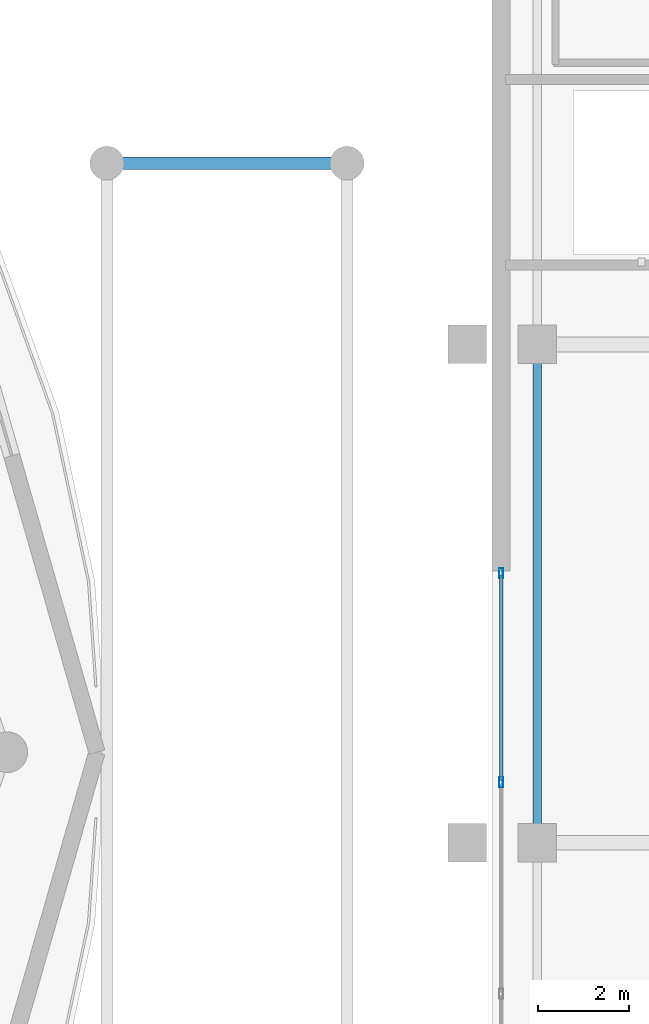
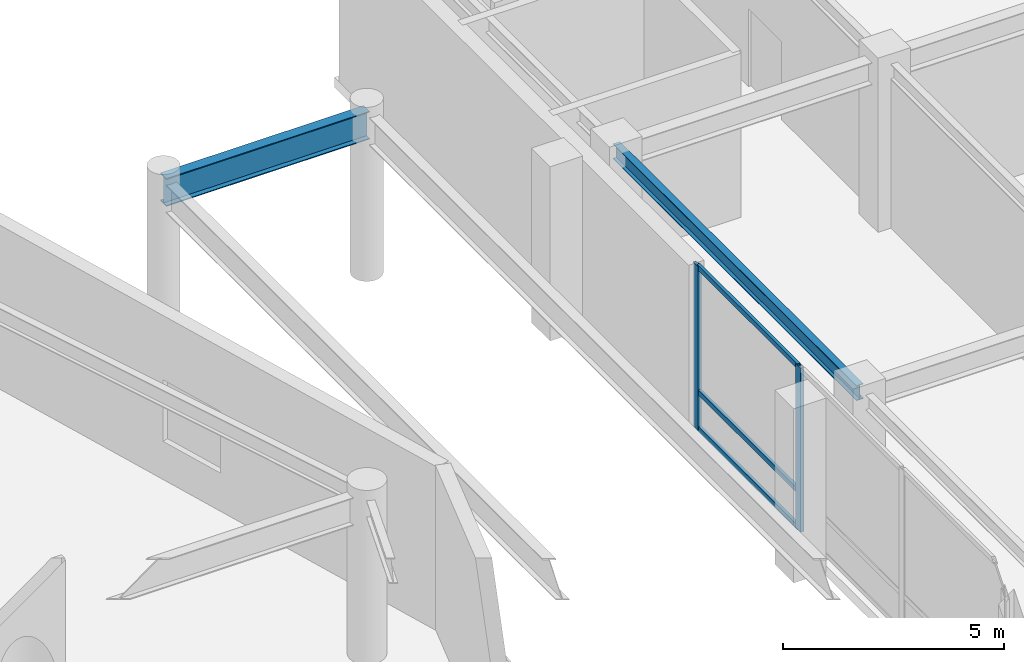
# One storey, part 18 of 40: 5 members, 2 beams, 1 element without a shape of its own.
"""IFC4 building model written with IfcOpenShell, lengths in metres."""

import ifcopenshell
import ifcopenshell.guid

model = None  # the IFC model being written
_history = None  # IfcOwnerHistory: only IFC2X3 demands one
_inside = {}  # id of a spatial element -> (the spatial element, [elements in it])
_under = {}  # id of a project, library or spatial element -> (it, [spatial elements below it])
_declared = {}  # id of a project -> (the project, [libraries it declares])
_typed = {}  # id of a type object -> (the type object, [elements of that type])
_made_of = {}  # id of a material, layer set ... -> (it, [elements and type objects made of it])


def new_model(schema):
    """Start an empty IFC model of exactly this schema.

    Asked for "IFC4X3", IfcOpenShell would pick the latest addendum, in which some entities
    have other attributes; the version numbers below select the first issue.
    IFC2X3 requires an IfcOwnerHistory on every rooted entity: one is made here for all.
    """
    global model, _history
    if schema == "IFC4X3":
        model = ifcopenshell.file(schema_version=(4, 3, 0, 0))
    else:
        model = ifcopenshell.file(schema=schema)
    _inside.clear()
    _under.clear()
    _declared.clear()
    _typed.clear()
    _made_of.clear()
    _history = None
    if model.schema == "IFC2X3":
        org = make("IfcOrganization", Name="unknown")
        user = make(
            "IfcPersonAndOrganization",
            ThePerson=make("IfcPerson", FamilyName="unknown"),
            TheOrganization=org,
        )
        app = make(
            "IfcApplication",
            ApplicationDeveloper=org,
            Version="unknown",
            ApplicationFullName="unknown",
            ApplicationIdentifier="unknown",
        )
        _history = make(
            "IfcOwnerHistory",
            OwningUser=user,
            OwningApplication=app,
            ChangeAction="ADDED",
            CreationDate=0,
        )
    return model


def make(cls, **values):
    """One entity of the class cls with the attributes given. An attribute that is None is left unset."""
    return model.create_entity(
        cls, **{name: value for name, value in values.items() if value is not None}
    )


def rooted(cls, **values):
    """An entity with a GlobalId (a new one), such as an element, a storey or a relation."""
    return make(cls, GlobalId=ifcopenshell.guid.new(), OwnerHistory=_history, **values)


def si_unit(unit_type, name, prefix=None):
    """IfcSIUnit, for example si_unit("LENGTHUNIT", "METRE", prefix="MILLI")."""
    return make("IfcSIUnit", UnitType=unit_type, Prefix=prefix, Name=name)


def assignment(units):
    """IfcUnitAssignment: the units of a project."""
    return None if units is None else make("IfcUnitAssignment", Units=units)


def point(xyz):
    """IfcCartesianPoint."""
    return None if xyz is None else make("IfcCartesianPoint", Coordinates=xyz)


def direction(xyz):
    """IfcDirection."""
    return None if xyz is None else make("IfcDirection", DirectionRatios=xyz)


def frame(location, z_axis=None, x_axis=None):
    """IfcAxis2Placement3D, a coordinate frame: its origin and axes. An axis left out is left unset."""
    return make(
        "IfcAxis2Placement3D",
        Location=point(location),
        Axis=direction(z_axis),
        RefDirection=direction(x_axis),
    )


def frame_2d(location, x_axis=None):
    """IfcAxis2Placement2D, a coordinate frame in the plane: its origin and x axis."""
    return make(
        "IfcAxis2Placement2D", Location=point(location), RefDirection=direction(x_axis)
    )


def origin():
    """The frame at (0, 0, 0) with its axes left unset."""
    return frame((0.0, 0.0, 0.0))


def origin_2d():
    """The frame at (0, 0) in the plane with its x axis left unset."""
    return frame_2d((0.0, 0.0))


def place(relative_to, where):
    """IfcLocalPlacement: puts the frame where relative to a parent placement (None: the world)."""
    return make(
        "IfcLocalPlacement", PlacementRelTo=relative_to, RelativePlacement=where
    )


def context(
    kind, dimensions, precision=None, world=None, true_north=None, identifier=None
):
    """IfcGeometricRepresentationContext, for example the 3D "Model" context."""
    return make(
        "IfcGeometricRepresentationContext",
        ContextIdentifier=identifier,
        ContextType=kind,
        CoordinateSpaceDimension=dimensions,
        Precision=precision,
        WorldCoordinateSystem=world,
        TrueNorth=true_north,
    )


def subcontext(parent, identifier, kind, view, scale=None):
    """IfcGeometricRepresentationSubContext, for example "Body" below "Model"."""
    return make(
        "IfcGeometricRepresentationSubContext",
        ContextIdentifier=identifier,
        ContextType=kind,
        ParentContext=parent,
        TargetScale=scale,
        TargetView=view,
    )


def project(units=None, contexts=None):
    """IfcProject with its units and contexts."""
    return rooted(
        "IfcProject",
        Name="project",
        RepresentationContexts=contexts,
        UnitsInContext=assignment(units),
    )


def spatial(cls, under=None, at=None, **own):
    """A site, building, storey or space (cls), placed at a placement, below another one or the project."""
    s = rooted(cls, ObjectPlacement=at, **own)
    if under is not None:
        _under.setdefault(under.id(), (under, []))[1].append(s)
    return s


def profile(cls, at=None, kind="AREA", **sizes):
    """A parametric profile (cls). Its sizes go by their IFC names, for example OverallWidth=200.0."""
    return make(cls, ProfileType=kind, Position=at, **sizes)


def hollow_rectangle(**sizes):
    """IfcRectangleHollowProfileDef."""
    return profile("IfcRectangleHollowProfileDef", **sizes)


def i_section(**sizes):
    """IfcIShapeProfileDef."""
    return profile("IfcIShapeProfileDef", **sizes)


def extrude(swept, where, along, depth):
    """IfcExtrudedAreaSolid: the profile swept, set in the frame where, extruded along a direction by depth."""
    return make(
        "IfcExtrudedAreaSolid",
        SweptArea=swept,
        Position=where,
        ExtrudedDirection=direction(along),
        Depth=depth,
    )


def shape(context_of_items, identifier, shape_type, items):
    """IfcShapeRepresentation: the items that make up one representation, for example the "Body"."""
    return make(
        "IfcShapeRepresentation",
        ContextOfItems=context_of_items,
        RepresentationIdentifier=identifier,
        RepresentationType=shape_type,
        Items=items,
    )


def material(Name=None, Category=None):
    """IfcMaterial."""
    return make("IfcMaterial", Name=Name, Category=Category)


def layer(
    of_material, thickness, ventilated=None, Name=None, Category=None, Priority=None
):
    """IfcMaterialLayer: one layer of a wall or slab, of a material (None: an air gap)."""
    return make(
        "IfcMaterialLayer",
        Material=of_material,
        LayerThickness=thickness,
        IsVentilated=ventilated,
        Name=Name,
        Category=Category,
        Priority=Priority,
    )


def layer_set(layers, Name=None):
    """IfcMaterialLayerSet."""
    return make("IfcMaterialLayerSet", MaterialLayers=layers, LayerSetName=Name)


def material_profile(
    of_material, cross_section, Name=None, Category=None, Priority=None
):
    """IfcMaterialProfile: a cross section and its material."""
    return make(
        "IfcMaterialProfile",
        Name=Name,
        Material=of_material,
        Profile=cross_section,
        Priority=Priority,
        Category=Category,
    )


def profile_set(profiles, Name=None, composite=None):
    """IfcMaterialProfileSet."""
    return make(
        "IfcMaterialProfileSet",
        Name=Name,
        MaterialProfiles=profiles,
        CompositeProfile=composite,
    )


def made_of(thing, what):
    """Note that an element or type object is made of a material, layer set ...; save() writes the relation."""
    if what is not None:
        _made_of.setdefault(what.id(), (what, []))[1].append(thing)
    return thing


def type_object(cls, material=None, **own):
    """A type object (cls), such as IfcWallType, which elements share."""
    return made_of(rooted(cls, **own), material)


def element(
    cls,
    number,
    at=None,
    inside=None,
    cuts=None,
    type_object=None,
    material=None,
    context=None,
    identifier="Body",
    shape_type=None,
    held_by="IfcProductDefinitionShape",
    body=None,
    shapes=None,
    **own,
):
    """One element of the class cls, such as IfcWall. Its Tag is "e" and its number.

    at: its placement. inside: the storey or other place that contains it. cuts: it is an
    opening in that element (IfcRelVoidsElement). A single representation is given by context,
    identifier, shape_type and body (its items); several are given by shapes. held_by: the class
    of the entity that holds the representations. save() writes the other relations.
    """
    e = rooted(cls, Tag="e%d" % number, ObjectPlacement=at, **own)
    if body is not None:
        shapes = [shape(context, identifier, shape_type, body)]
    if shapes is not None:
        e.Representation = make(held_by, Representations=shapes)
    if inside is not None:
        _inside.setdefault(inside.id(), (inside, []))[1].append(e)
    if cuts is not None:
        rooted(
            "IfcRelVoidsElement", RelatingBuildingElement=cuts, RelatedOpeningElement=e
        )
    if type_object is not None:
        _typed.setdefault(type_object.id(), (type_object, []))[1].append(e)
    return made_of(e, material)


def aggregate(whole, parts):
    """IfcRelAggregates: a whole, such as a stair, and the parts it consists of."""
    return rooted("IfcRelAggregates", RelatingObject=whole, RelatedObjects=parts)


def save(model, path):
    """Write the relations noted so far, then the file.

    IfcRelAggregates (storeys below a building ...), IfcRelContainedInSpatialStructure (elements
    in a storey), IfcRelDefinesByType, IfcRelAssociatesMaterial and IfcRelDeclares: one each for
    every whole, place, type object, material and project.
    """
    for whole, parts in _under.values():
        aggregate(whole, parts)
    for where, things in _inside.values():
        rooted(
            "IfcRelContainedInSpatialStructure",
            RelatedElements=things,
            RelatingStructure=where,
        )
    for kind, things in _typed.values():
        rooted("IfcRelDefinesByType", RelatedObjects=things, RelatingType=kind)
    for what, things in _made_of.values():
        rooted("IfcRelAssociatesMaterial", RelatedObjects=things, RelatingMaterial=what)
    for by, libraries in _declared.values():
        rooted("IfcRelDeclares", RelatingContext=by, RelatedDefinitions=libraries)
    model.write(path)


model = new_model("IFC4")

# Units and contexts
model_context = context("Model", 3, precision=1e-05, world=origin(), true_north=direction((0.0, 1.0)))
body_context = subcontext(model_context, "Body", "Model", "MODEL_VIEW")
ifc_project = project(units=[si_unit("LENGTHUNIT", "METRE"), si_unit("AREAUNIT", "SQUARE_METRE"), si_unit("VOLUMEUNIT", "CUBIC_METRE"), si_unit("PLANEANGLEUNIT", "RADIAN"), si_unit("MASSUNIT", "GRAM", prefix="KILO")], contexts=[model_context])

# Site, building, storey
site_placement = place(None, origin())
site = spatial("IfcSite", under=ifc_project, at=site_placement, CompositionType="ELEMENT")
building_placement = place(site_placement, origin())
building = spatial("IfcBuilding", under=site, at=building_placement, Name="Kazevale Care Tower and Concert Hall", CompositionType="ELEMENT")
storey_placement = place(building_placement, frame((0.0, 0.0, 4.800048828125)))
storey = spatial("IfcBuildingStorey", under=building, at=storey_placement, Name="L01", CompositionType="ELEMENT", Elevation=4.800048828125)

# Curtain wall, members
ifc_material_1 = material(Name="Aluminium 6063-T6 and Low-E Glass", Category="aluminium")
ifc_layer = layer(ifc_material_1, 0.179931640625)
ifc_layer_set = layer_set([ifc_layer], Name="Aluminium 6063-T6 and Low-E Glass")
curtain_wall_type = type_object("IfcCurtainWallType", Name="Concert Hall Foyer Storefront Curtain Wall CW-6", PredefinedType="NOTDEFINED", material=ifc_layer_set)
curtain_wall_placement = place(storey_placement, origin())
curtain_wall = element("IfcCurtainWall", 1, at=curtain_wall_placement, inside=storey, type_object=curtain_wall_type, Name="cw:L01:hall:W2", PredefinedType="NOTDEFINED")
ifc_material_2 = material(Name="Aluminium 6063-T6", Category="aluminium")
ifc_material_profile_1 = material_profile(ifc_material_2, hollow_rectangle(XDim=0.090087890625, YDim=0.219970703125, WallThickness=0.0048828125, at=origin_2d()), Name="ALU90x220x5")
ifc_profile_set_1 = profile_set([ifc_material_profile_1], Name="Aluminium 6063-T6")
member_type_1 = type_object("IfcMemberType", Name="CW-6 Mullion ALU90x220x5", PredefinedType="MULLION", material=ifc_profile_set_1)
member_1_placement = place(storey_placement, frame((96.199951171875, 41.955078125, 0.0), z_axis=(0.0, 0.0, 1.0), x_axis=(1.0, 0.0, 0.0)))
member_1 = element("IfcMember", 2, at=member_1_placement, type_object=member_type_1, Name="CW-6 mullion 1", PredefinedType="MULLION", context=body_context, shape_type="SweptSolid", body=[
    extrude(hollow_rectangle(XDim=0.090087890625, YDim=0.219970703125, WallThickness=0.0048828125, at=origin_2d()), origin(), (0.0, 0.0, 1.0), 4.52001953125),
])
member_2_placement = place(storey_placement, frame((96.199951171875, 37.333251953125, 0.0), z_axis=(0.0, 0.0, 1.0), x_axis=(1.0, 0.0, 0.0)))
member_2 = element("IfcMember", 3, at=member_2_placement, type_object=member_type_1, Name="CW-6 mullion 2", PredefinedType="MULLION", context=body_context, shape_type="SweptSolid", body=[
    extrude(hollow_rectangle(XDim=0.090087890625, YDim=0.219970703125, WallThickness=0.0048828125, at=origin_2d()), origin(), (0.0, 0.0, 1.0), 4.52001953125),
])
ifc_material_profile_2 = material_profile(ifc_material_2, hollow_rectangle(XDim=0.080078125, YDim=0.139892578125, WallThickness=0.00390625, at=origin_2d()), Name="ALU80x140x4")
ifc_profile_set_2 = profile_set([ifc_material_profile_2], Name="Aluminium 6063-T6")
member_type_2 = type_object("IfcMemberType", Name="CW-6 Transom ALU80x140x4", PredefinedType="USERDEFINED", material=ifc_profile_set_2)
member_3_placement = place(storey_placement, frame((96.199951171875, 41.909912109375, 0.0400390625), z_axis=(0.0, -1.0, 0.0), x_axis=(1.0, 0.0, 0.0)))
member_3 = element("IfcMember", 4, at=member_3_placement, type_object=member_type_2, Name="CW-6 transom 1.1", ObjectType="TRANSOM", PredefinedType="USERDEFINED", context=body_context, shape_type="SweptSolid", body=[
    extrude(hollow_rectangle(XDim=0.080078125, YDim=0.139892578125, WallThickness=0.00390625, at=origin_2d()), origin(), (0.0, 0.0, 1.0), 4.531494140625),
])
member_4_placement = place(storey_placement, frame((96.199951171875, 41.909912109375, 1.050048828125), z_axis=(0.0, -1.0, 0.0), x_axis=(1.0, 0.0, 0.0)))
member_4 = element("IfcMember", 5, at=member_4_placement, type_object=member_type_2, Name="CW-6 transom 1.2", ObjectType="TRANSOM", PredefinedType="USERDEFINED", context=body_context, shape_type="SweptSolid", body=[
    extrude(hollow_rectangle(XDim=0.080078125, YDim=0.139892578125, WallThickness=0.00390625, at=origin_2d()), origin(), (0.0, 0.0, 1.0), 4.531494140625),
])
member_5_placement = place(storey_placement, frame((96.199951171875, 41.909912109375, 4.47998046875), z_axis=(0.0, -1.0, 0.0), x_axis=(1.0, 0.0, 0.0)))
member_5 = element("IfcMember", 6, at=member_5_placement, type_object=member_type_2, Name="CW-6 transom 1.3", ObjectType="TRANSOM", PredefinedType="USERDEFINED", context=body_context, shape_type="SweptSolid", body=[
    extrude(hollow_rectangle(XDim=0.080078125, YDim=0.139892578125, WallThickness=0.00390625, at=origin_2d()), origin(), (0.0, 0.0, 1.0), 4.531494140625),
])
aggregate(curtain_wall, [member_1, member_2, member_3, member_4, member_5])

# Beams
ifc_material_3 = material(Name="Steel ASTM A572 Gr 50", Category="steel")
ifc_material_profile_3 = material_profile(ifc_material_3, i_section(OverallWidth=0.180908203125, OverallDepth=0.4169921875, WebThickness=0.010986328125, FlangeThickness=0.018310546875, at=origin_2d()), Name="W410x85")
ifc_profile_set_3 = profile_set([ifc_material_profile_3], Name="Steel ASTM A572 Gr 50")
beam_type_1 = type_object("IfcBeamType", Name="Concert Hall Secondary Beam W410x85", PredefinedType="BEAM", material=ifc_profile_set_3)
beam_1_placement = place(storey_placement, frame((97.0, 36.0, 4.3115234375), z_axis=(0.0, 1.0, 0.0), x_axis=(-1.0, 0.0, 0.0)))
element("IfcBeam", 7, at=beam_1_placement, inside=storey, type_object=beam_type_1, Name="beam:L01:hy:97_36", PredefinedType="BEAM", context=body_context, shape_type="SweptSolid", body=[
    extrude(i_section(OverallWidth=0.180908203125, OverallDepth=0.4169921875, WebThickness=0.010986328125, FlangeThickness=0.018310546875, at=origin_2d()), origin(), (0.0, 0.0, 1.0), 11.0),
])
ifc_material_profile_4 = material_profile(ifc_material_3, i_section(OverallWidth=0.26806640625, OverallDepth=0.77001953125, WebThickness=0.015625, FlangeThickness=0.025390625, at=origin_2d()), Name="W760x196")
ifc_profile_set_4 = profile_set([ifc_material_profile_4], Name="Steel ASTM A572 Gr 50")
beam_type_2 = type_object("IfcBeamType", Name="Podium Primary Girder W760x196", PredefinedType="BEAM", material=ifc_profile_set_4)
beam_2_placement = place(storey_placement, frame((92.800048828125, 51.0, 4.125), z_axis=(-1.0, 0.0, 0.0), x_axis=(0.0, -1.0, 0.0)))
element("IfcBeam", 8, at=beam_2_placement, inside=storey, type_object=beam_type_2, Name="beam:L01:gbox:3", PredefinedType="BEAM", context=body_context, shape_type="SweptSolid", body=[
    extrude(i_section(OverallWidth=0.26806640625, OverallDepth=0.77001953125, WebThickness=0.015625, FlangeThickness=0.025390625, at=origin_2d()), origin(), (0.0, 0.0, 1.0), 5.300048828125),
])

save(model, "model.ifc")
